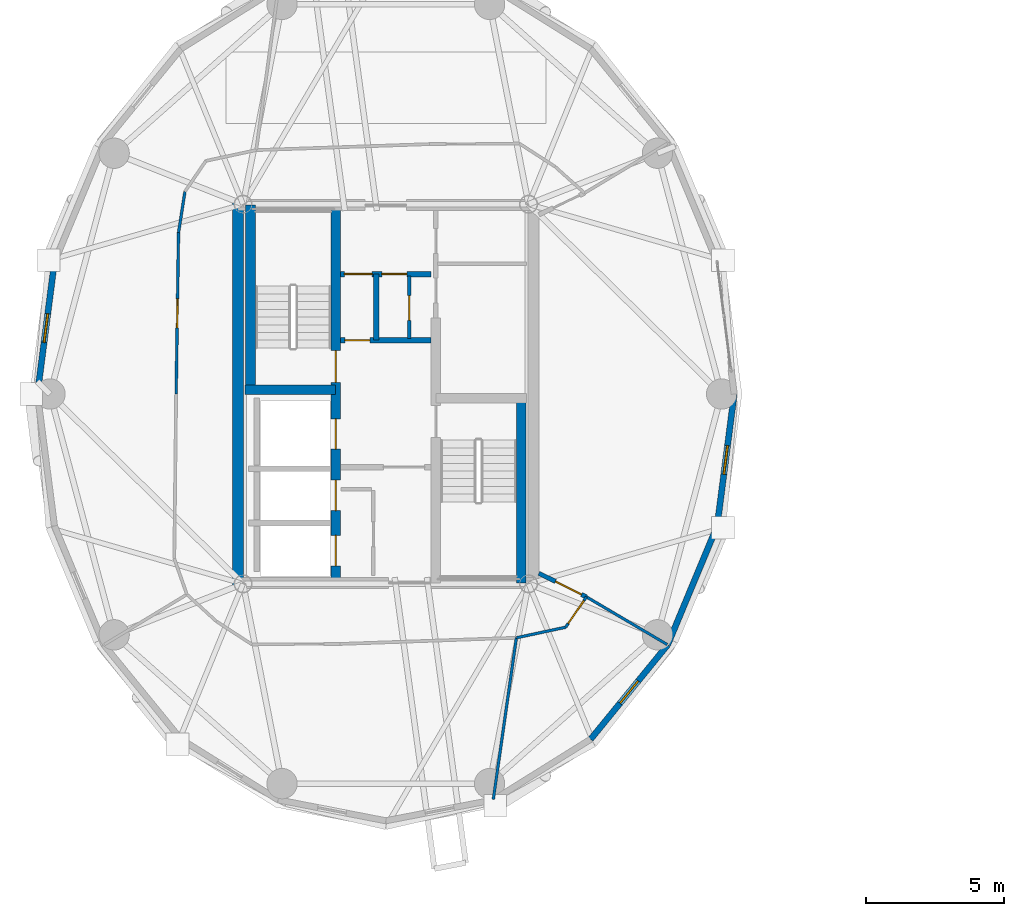
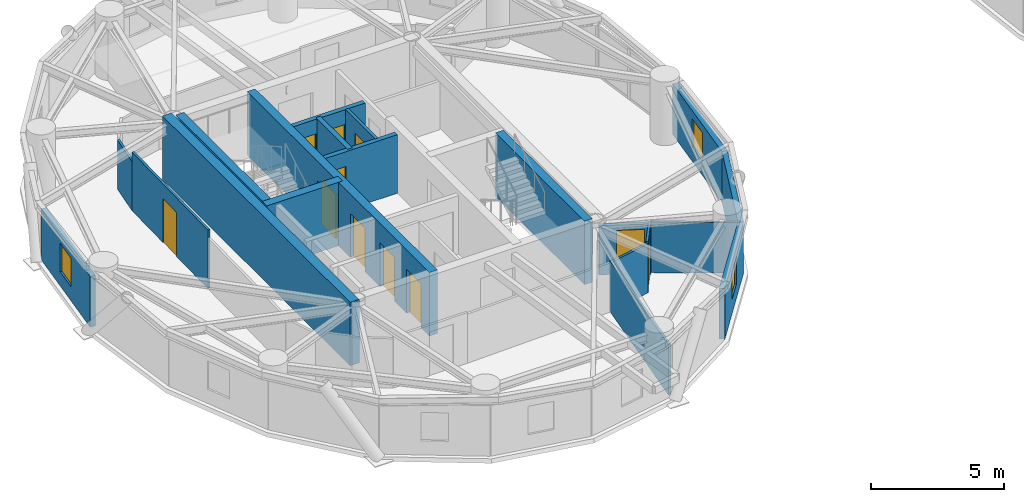
# One storey, part 8 of 14: 20 walls, 11 doors, 3 windows, 14 openings.
"""IFC4 building model written with IfcOpenShell, lengths in metres."""

from ifc_helpers import new_model, si_unit, direction, frame, frame_2d, origin, place, context, subcontext, project, spatial, rectangle, extrude, source, transform, mapped, material, layer, layer_set, type_object, element, fill, save


model = new_model("IFC4")

# Units and contexts
model_context = context("Model", 3, precision=1e-05, world=origin(), true_north=direction((0.0, 1.0)))
body_context = subcontext(model_context, "Body", "Model", "MODEL_VIEW")
ifc_project = project(units=[si_unit("LENGTHUNIT", "METRE"), si_unit("AREAUNIT", "SQUARE_METRE"), si_unit("VOLUMEUNIT", "CUBIC_METRE"), si_unit("PLANEANGLEUNIT", "RADIAN"), si_unit("MASSUNIT", "GRAM", prefix="KILO")], contexts=[model_context])

# Site, building, storey
site_placement = place(None, origin())
site = spatial("IfcSite", under=ifc_project, at=site_placement, CompositionType="ELEMENT")
building_placement = place(site_placement, origin())
building = spatial("IfcBuilding", under=site, at=building_placement, Name="Cununo Teusaquillo Station Towers", CompositionType="ELEMENT")
storey_placement = place(building_placement, frame((0.0, 0.0, 202.47998046875)))
storey = spatial("IfcBuildingStorey", under=building, at=storey_placement, Name="L64", CompositionType="ELEMENT", Elevation=202.47998046875)

# Wall, openings, doors
ifc_material_1 = material(Name="Concrete C50/60", Category="concrete")
ifc_layer_1 = layer(ifc_material_1, 0.35009765625)
ifc_layer_set_1 = layer_set([ifc_layer_1], Name="Concrete C50/60")
wall_type_1 = type_object("IfcWallType", Name="WL-CORE-350", PredefinedType="SHEAR", material=ifc_layer_set_1)
wall_1_placement = place(storey_placement, frame((14.68505859375, 17.64990234375, 0.0), z_axis=(0.0, 0.0, 1.0), x_axis=(0.0, 1.0, 0.0)))
wall_1 = element("IfcWall", 1, at=wall_1_placement, inside=storey, type_object=wall_type_1, Name="L64 Tower A Core Shear Wall IW", PredefinedType="SHEAR", context=body_context, shape_type="SweptSolid", body=[
    extrude(rectangle(XDim=13.7001953125, YDim=0.35009765625, at=frame_2d((6.85009765625, 0.0))), origin(), (0.0, 0.0, 1.0), 2.909912109375),
])
shared_shape_1 = source(origin(), body_context, "Body", "SweptSolid", [
    extrude(rectangle(XDim=1.10009765625, YDim=2.014892578125, at=frame_2d((0.550048828125, 1.00732421875))), frame((0.0, 0.18505859375, 0.0), z_axis=(0.0, -1.0, 0.0), x_axis=(1.0, 0.0, 0.0)), (0.0, 0.0, 1.0), 0.3701171875),
])
opening_1_placement = place(wall_1_placement, frame((4.85009765625, 0.0, 0.0)))
opening_1 = element("IfcOpeningElement", 2, at=opening_1_placement, cuts=wall_1, Name="Opening LD-01", PredefinedType="OPENING", context=body_context, shape_type="MappedRepresentation", body=[
    mapped(shared_shape_1, transform((0.0, 0.0, 0.0), x_axis=(1.0, 0.0, 0.0), y_axis=(0.0, 1.0, 0.0), z_axis=(0.0, 0.0, 1.0), scale=1.0)),
])
opening_2_placement = place(wall_1_placement, frame((0.625, 0.0, 0.0)))
opening_2 = element("IfcOpeningElement", 3, at=opening_2_placement, cuts=wall_1, Name="Opening LD-01", PredefinedType="OPENING", context=body_context, shape_type="MappedRepresentation", body=[
    mapped(shared_shape_1, transform((0.0, 0.0, 0.0), x_axis=(1.0, 0.0, 0.0), y_axis=(0.0, 1.0, 0.0), z_axis=(0.0, 0.0, 1.0), scale=1.0)),
])
opening_3_placement = place(wall_1_placement, frame((2.625, 0.0, 0.0)))
opening_3 = element("IfcOpeningElement", 4, at=opening_3_placement, cuts=wall_1, Name="Opening LD-01", PredefinedType="OPENING", context=body_context, shape_type="MappedRepresentation", body=[
    mapped(shared_shape_1, transform((0.0, 0.0, 0.0), x_axis=(1.0, 0.0, 0.0), y_axis=(0.0, 1.0, 0.0), z_axis=(0.0, 0.0, 1.0), scale=1.0)),
])
shared_shape_2 = source(origin(), body_context, "Body", "SweptSolid", [
    extrude(rectangle(XDim=1.14990234375, YDim=2.02001953125, at=frame_2d((0.574951171875, 1.010009765625))), frame((0.0, 0.18505859375, 0.0), z_axis=(0.0, -1.0, 0.0), x_axis=(1.0, 0.0, 0.0)), (0.0, 0.0, 1.0), 0.3701171875),
])
opening_4_placement = place(wall_1_placement, frame((7.27001953125, 0.0, 0.0)))
opening_4 = element("IfcOpeningElement", 5, at=opening_4_placement, cuts=wall_1, Name="Opening D-ST1", PredefinedType="OPENING", context=body_context, shape_type="MappedRepresentation", body=[
    mapped(shared_shape_2, transform((0.0, 0.0, 0.0), x_axis=(1.0, 0.0, 0.0), y_axis=(0.0, 1.0, 0.0), z_axis=(0.0, 0.0, 1.0), scale=1.0)),
])
ifc_material_2 = material(Name="Galvanised fire-rated hollow steel door assembly", Category="steel")
door_type_1 = type_object("IfcDoorType", Name="DR-LIFT-1100", OperationType="SLIDING_TO_LEFT", PredefinedType="DOOR", material=ifc_material_2)
shared_shape_3 = source(origin(), body_context, "Body", "SweptSolid", [
    extrude(rectangle(XDim=1.10009765625, YDim=2.014892578125, at=frame_2d((0.550048828125, 1.00732421875))), frame((0.0, 0.02490234375, 0.0), z_axis=(0.0, -1.0, 0.0), x_axis=(1.0, 0.0, 0.0)), (0.0, 0.0, 1.0), 0.050048828125),
])
door_1_placement = place(opening_1_placement, origin())
door_1 = element("IfcDoor", 6, at=door_1_placement, inside=storey, type_object=door_type_1, Name="L64 Lift FL-T1 Sliding Landing Door", OperationType="SLIDING_TO_LEFT", OverallHeight=2.014892578125, OverallWidth=1.10009765625, PredefinedType="DOOR", context=body_context, shape_type="MappedRepresentation", body=[
    mapped(shared_shape_3, transform((0.0, 0.0, 0.0), x_axis=(1.0, 0.0, 0.0), y_axis=(0.0, 1.0, 0.0), z_axis=(0.0, 0.0, 1.0), scale=1.0)),
])
fill(opening_1, door_1)
door_2_placement = place(opening_2_placement, origin())
door_2 = element("IfcDoor", 7, at=door_2_placement, inside=storey, type_object=door_type_1, Name="L64 Lift PL-T1-H1 Sliding Landing Door", OperationType="SLIDING_TO_LEFT", OverallHeight=2.014892578125, OverallWidth=1.10009765625, PredefinedType="DOOR", context=body_context, shape_type="MappedRepresentation", body=[
    mapped(shared_shape_3, transform((0.0, 0.0, 0.0), x_axis=(1.0, 0.0, 0.0), y_axis=(0.0, 1.0, 0.0), z_axis=(0.0, 0.0, 1.0), scale=1.0)),
])
fill(opening_2, door_2)
door_3_placement = place(opening_3_placement, origin())
door_3 = element("IfcDoor", 8, at=door_3_placement, inside=storey, type_object=door_type_1, Name="L64 Lift PL-T1-H2 Sliding Landing Door", OperationType="SLIDING_TO_RIGHT", OverallHeight=2.014892578125, OverallWidth=1.10009765625, PredefinedType="DOOR", context=body_context, shape_type="MappedRepresentation", body=[
    mapped(shared_shape_3, transform((0.0, 0.0, 0.0), x_axis=(1.0, 0.0, 0.0), y_axis=(0.0, 1.0, 0.0), z_axis=(0.0, 0.0, 1.0), scale=1.0)),
])
fill(opening_3, door_3)
ifc_material_3 = material(Name="Galvanised fire-rated hollow steel door assembly", Category="steel")
door_type_2 = type_object("IfcDoorType", Name="DR-STAIR-1150", OperationType="NOTDEFINED", PredefinedType="DOOR", material=ifc_material_3)
shared_shape_4 = source(origin(), body_context, "Body", "SweptSolid", [
    extrude(rectangle(XDim=1.14990234375, YDim=2.02001953125, at=frame_2d((0.574951171875, 1.010009765625))), frame((0.0, 0.02490234375, 0.0), z_axis=(0.0, -1.0, 0.0), x_axis=(1.0, 0.0, 0.0)), (0.0, 0.0, 1.0), 0.050048828125),
])
door_4_placement = place(opening_4_placement, origin())
door_4 = element("IfcDoor", 9, at=door_4_placement, inside=storey, type_object=door_type_2, Name="L64 Tower A Exit Stair 1 Fire Door", OperationType="SINGLE_SWING_RIGHT", OverallHeight=2.02001953125, OverallWidth=1.14990234375, PredefinedType="DOOR", context=body_context, shape_type="MappedRepresentation", body=[
    mapped(shared_shape_4, transform((0.0, 0.0, 0.0), x_axis=(1.0, 0.0, 0.0), y_axis=(0.0, 1.0, 0.0), z_axis=(0.0, 0.0, 1.0), scale=1.0)),
])
fill(opening_4, door_4)

# Walls
wall_2_placement = place(storey_placement, frame((11.594970703125, 24.655029296875, 0.0), z_axis=(0.0, 0.0, 1.0), x_axis=(0.0, 1.0, 0.0)))
element("IfcWall", 10, at=wall_2_placement, inside=storey, type_object=wall_type_1, Name="L64 Tower A Core Shear Wall ST1W", PredefinedType="SHEAR", context=body_context, shape_type="SweptSolid", body=[
    extrude(rectangle(XDim=6.695068359375, YDim=0.35009765625, at=frame_2d((3.34765625, 0.0))), origin(), (0.0, 0.0, 1.0), 2.909912109375),
])
wall_3_placement = place(storey_placement, frame((11.39990234375, 24.655029296875, 0.0), z_axis=(0.0, 0.0, 1.0), x_axis=(1.0, 0.0, 0.0)))
element("IfcWall", 11, at=wall_3_placement, inside=storey, type_object=wall_type_1, Name="L64 Tower A Core Shear Wall ST1S", PredefinedType="SHEAR", context=body_context, shape_type="SweptSolid", body=[
    extrude(rectangle(XDim=3.28515625, YDim=0.35009765625, at=frame_2d((1.642578125, 0.0))), origin(), (0.0, 0.0, 1.0), 2.909912109375),
])
wall_4_placement = place(storey_placement, frame((21.405029296875, 17.64990234375, 0.0), z_axis=(0.0, 0.0, 1.0), x_axis=(0.0, 1.0, 0.0)))
element("IfcWall", 12, at=wall_4_placement, inside=storey, type_object=wall_type_1, Name="L64 Tower A Core Shear Wall ST2E", PredefinedType="SHEAR", context=body_context, shape_type="SweptSolid", body=[
    extrude(rectangle(XDim=6.695068359375, YDim=0.35009765625, at=frame_2d((3.34765625, 0.0))), origin(), (0.0, 0.0, 1.0), 2.909912109375),
])
ifc_material_4 = material(Name="Concrete C50/60", Category="concrete")
ifc_layer_2 = layer(ifc_material_4, 0.39990234375)
ifc_layer_set_2 = layer_set([ifc_layer_2], Name="Concrete C50/60")
wall_type_2 = type_object("IfcWallType", Name="WL-CORE-400", PredefinedType="SHEAR", material=ifc_layer_set_2)
wall_5_placement = place(storey_placement, frame((11.14990234375, 17.449951171875, 0.0), z_axis=(0.0, 0.0, 1.0), x_axis=(0.0, 1.0, 0.0)))
element("IfcWall", 13, at=wall_5_placement, inside=storey, type_object=wall_type_2, Name="L64 Tower A Core Shear Wall W", PredefinedType="SHEAR", context=body_context, shape_type="SweptSolid", body=[
    extrude(rectangle(XDim=14.10009765625, YDim=0.39990234375, at=frame_2d((7.050048828125, 0.0))), origin(), (0.0, 0.0, 1.0), 2.909912109375),
])

# Wall, opening, window
ifc_material_5 = material(Name="Precast concrete C40/50", Category="concrete")
ifc_layer_3 = layer(ifc_material_5, 0.219970703125)
ifc_layer_set_3 = layer_set([ifc_layer_3], Name="Precast concrete C40/50")
wall_type_3 = type_object("IfcWallType", Name="WL-EXT-220", PredefinedType="SOLIDWALL", material=ifc_layer_set_3)
wall_6_placement = place(storey_placement, frame((3.8701171875, 24.5, 0.0), z_axis=(0.0, 0.0, 1.0), x_axis=(0.128241318541, 0.991742993027, 0.0)))
wall_6 = element("IfcWall", 14, at=wall_6_placement, inside=storey, type_object=wall_type_3, Name="L64 Tower A Exterior Facade Wall C09", PredefinedType="SOLIDWALL", context=body_context, shape_type="SweptSolid", body=[
    extrude(rectangle(XDim=4.8203125, YDim=0.219970703125, at=frame_2d((2.41015625, 0.0))), origin(), (0.0, 0.0, 1.0), 2.322021484375),
])
shared_shape_5 = source(origin(), body_context, "Body", "SweptSolid", [
    extrude(rectangle(XDim=1.050048828125, YDim=1.300048828125, at=frame_2d((0.52490234375, 0.64990234375))), frame((0.0, 0.119873046875, 0.0), z_axis=(0.0, -1.0, 0.0), x_axis=(1.0, 0.0, 0.0)), (0.0, 0.0, 1.0), 0.239990234375),
])
opening_5_placement = place(wall_6_placement, frame((1.885009765625, 0.0, 0.64990234375)))
opening_5 = element("IfcOpeningElement", 15, at=opening_5_placement, cuts=wall_6, Name="Opening WN-04", PredefinedType="OPENING", context=body_context, shape_type="MappedRepresentation", body=[
    mapped(shared_shape_5, transform((0.0, 0.0, 0.0), x_axis=(1.0, 0.0, 0.0), y_axis=(0.0, 1.0, 0.0), z_axis=(0.0, 0.0, 1.0), scale=1.0)),
])
ifc_material_6 = material(Name="Operable acoustic tinted low-E double glazing", Category="glass")
window_type = type_object("IfcWindowType", Name="WIN-BAL-1050", PartitioningType="SINGLE_PANEL", PredefinedType="WINDOW", material=ifc_material_6)
shared_shape_6 = source(origin(), body_context, "Body", "SweptSolid", [
    extrude(rectangle(XDim=1.050048828125, YDim=1.300048828125, at=frame_2d((0.52490234375, 0.64990234375))), frame((0.0, 0.030029296875, 0.0), z_axis=(0.0, -1.0, 0.0), x_axis=(1.0, 0.0, 0.0)), (0.0, 0.0, 1.0), 0.06005859375),
])
window_1_placement = place(opening_5_placement, origin())
window_1 = element("IfcWindow", 16, at=window_1_placement, inside=storey, type_object=window_type, Name="L64 Tower A Facade Window C09", OverallHeight=1.300048828125, OverallWidth=1.050048828125, PartitioningType="SINGLE_PANEL", PredefinedType="WINDOW", context=body_context, shape_type="MappedRepresentation", body=[
    mapped(shared_shape_6, transform((0.0, 0.0, 0.0), x_axis=(1.0, 0.0, 0.0), y_axis=(0.0, 1.0, 0.0), z_axis=(0.0, 0.0, 1.0), scale=1.0)),
])
fill(opening_5, window_1)

wall_7_placement = place(storey_placement, frame((26.718017578125, 15.406982421875, 0.0), z_axis=(0.0, 0.0, 1.0), x_axis=(-0.632467166636, -0.774587169483, 0.0)))
wall_7 = element("IfcWall", 17, at=wall_7_placement, inside=storey, type_object=wall_type_3, Name="L64 Tower A Exterior Facade Wall C17", PredefinedType="SOLIDWALL", context=body_context, shape_type="SweptSolid", body=[
    extrude(rectangle(XDim=4.418212890625, YDim=0.219970703125, at=frame_2d((2.208984375, 0.0))), origin(), (0.0, 0.0, 1.0), 2.322021484375),
])
opening_6_placement = place(wall_7_placement, frame((1.68408203125, 0.0, 0.64990234375)))
opening_6 = element("IfcOpeningElement", 18, at=opening_6_placement, cuts=wall_7, Name="Opening WN-04", PredefinedType="OPENING", context=body_context, shape_type="MappedRepresentation", body=[
    mapped(shared_shape_5, transform((0.0, 0.0, 0.0), x_axis=(1.0, 0.0, 0.0), y_axis=(0.0, 1.0, 0.0), z_axis=(0.0, 0.0, 1.0), scale=1.0)),
])
window_2_placement = place(opening_6_placement, origin())
window_2 = element("IfcWindow", 19, at=window_2_placement, inside=storey, type_object=window_type, Name="L64 Tower A Facade Window C17", OverallHeight=1.300048828125, OverallWidth=1.050048828125, PartitioningType="SINGLE_PANEL", PredefinedType="WINDOW", context=body_context, shape_type="MappedRepresentation", body=[
    mapped(shared_shape_6, transform((0.0, 0.0, 0.0), x_axis=(1.0, 0.0, 0.0), y_axis=(0.0, 1.0, 0.0), z_axis=(0.0, 0.0, 1.0), scale=1.0)),
])
fill(opening_6, window_2)

# Wall
wall_8_placement = place(storey_placement, frame((28.51171875, 19.719482421875, 0.0), z_axis=(0.0, 0.0, 1.0), x_axis=(-0.384036305194, -0.923317993052, 0.0)))
element("IfcWall", 20, at=wall_8_placement, inside=storey, type_object=wall_type_3, Name="L64 Tower A Exterior Facade Wall C18", PredefinedType="SOLIDWALL", context=body_context, shape_type="SweptSolid", body=[
    extrude(rectangle(XDim=4.670654296875, YDim=0.219970703125, at=frame_2d((2.33544921875, 0.0))), origin(), (0.0, 0.0, 1.0), 2.322021484375),
])

# Wall, opening, window
wall_9_placement = place(storey_placement, frame((29.1298828125, 24.5, 0.0), z_axis=(0.0, 0.0, 1.0), x_axis=(-0.128241318541, -0.991742993027, 0.0)))
wall_9 = element("IfcWall", 21, at=wall_9_placement, inside=storey, type_object=wall_type_3, Name="L64 Tower A Exterior Facade Wall C19", PredefinedType="SOLIDWALL", context=body_context, shape_type="SweptSolid", body=[
    extrude(rectangle(XDim=4.8203125, YDim=0.219970703125, at=frame_2d((2.41015625, 0.0))), origin(), (0.0, 0.0, 1.0), 2.322021484375),
])
opening_7_placement = place(wall_9_placement, frame((1.885009765625, 0.0, 0.64990234375)))
opening_7 = element("IfcOpeningElement", 22, at=opening_7_placement, cuts=wall_9, Name="Opening WN-04", PredefinedType="OPENING", context=body_context, shape_type="MappedRepresentation", body=[
    mapped(shared_shape_5, transform((0.0, 0.0, 0.0), x_axis=(1.0, 0.0, 0.0), y_axis=(0.0, 1.0, 0.0), z_axis=(0.0, 0.0, 1.0), scale=1.0)),
])
window_3_placement = place(opening_7_placement, origin())
window_3 = element("IfcWindow", 23, at=window_3_placement, inside=storey, type_object=window_type, Name="L64 Tower A Facade Window C19", OverallHeight=1.300048828125, OverallWidth=1.050048828125, PartitioningType="SINGLE_PANEL", PredefinedType="WINDOW", context=body_context, shape_type="MappedRepresentation", body=[
    mapped(shared_shape_6, transform((0.0, 0.0, 0.0), x_axis=(1.0, 0.0, 0.0), y_axis=(0.0, 1.0, 0.0), z_axis=(0.0, 0.0, 1.0), scale=1.0)),
])
fill(opening_7, window_3)

# Wall
ifc_material_7 = material(Name="Fire-rated gypsum plasterboard partition assembly", Category="gypsum")
ifc_layer_4 = layer(ifc_material_7, 0.10009765625)
ifc_layer_set_4 = layer_set([ifc_layer_4], Name="Fire-rated gypsum plasterboard partition assembly")
wall_type_4 = type_object("IfcWallType", Name="WL-PART-100", PredefinedType="MOVABLE", material=ifc_layer_set_4)
wall_10_placement = place(storey_placement, frame((9.218505859375, 31.837646484375, 0.0), z_axis=(0.0, 0.0, 1.0), x_axis=(-0.154065528966, -0.98806063214, 0.0)))
element("IfcWall", 24, at=wall_10_placement, inside=storey, type_object=wall_type_4, Name="L64 Tower A Corridor Ring Wall C08", PredefinedType="MOVABLE", context=body_context, shape_type="SweptSolid", body=[
    extrude(rectangle(XDim=1.507080078125, YDim=0.10009765625, at=frame_2d((0.75341796875, 0.0))), origin(), (0.0, 0.0, 1.0), 2.255126953125),
])

# Wall, opening, door
wall_11_placement = place(storey_placement, frame((8.986328125, 30.3486328125, 0.0), z_axis=(0.0, 0.0, 1.0), x_axis=(-0.014775478218, -0.999890836663, 0.0)))
wall_11 = element("IfcWall", 25, at=wall_11_placement, inside=storey, type_object=wall_type_4, Name="L64 Tower A Corridor Ring Wall C09", PredefinedType="MOVABLE", context=body_context, shape_type="SweptSolid", body=[
    extrude(rectangle(XDim=5.849365234375, YDim=0.10009765625, at=frame_2d((2.9248046875, 0.0))), origin(), (0.0, 0.0, 1.0), 2.68505859375),
])
shared_shape_7 = source(origin(), body_context, "Body", "SweptSolid", [
    extrude(rectangle(XDim=1.050048828125, YDim=2.014892578125, at=frame_2d((0.52490234375, 1.00732421875))), frame((0.0, 0.06005859375, 0.0), z_axis=(0.0, -1.0, 0.0), x_axis=(1.0, 0.0, 0.0)), (0.0, 0.0, 1.0), 0.1201171875),
])
opening_8_placement = place(wall_11_placement, frame((2.399658203125, 0.0, 0.0)))
opening_8 = element("IfcOpeningElement", 26, at=opening_8_placement, cuts=wall_11, Name="Opening D-SU1", PredefinedType="OPENING", context=body_context, shape_type="MappedRepresentation", body=[
    mapped(shared_shape_7, transform((0.0, 0.0, 0.0), x_axis=(1.0, 0.0, 0.0), y_axis=(0.0, 1.0, 0.0), z_axis=(0.0, 0.0, 1.0), scale=1.0)),
])
ifc_material_8 = material(Name="Acoustic solid-core hardwood leaf assembly", Category="wood")
door_type_3 = type_object("IfcDoorType", Name="DR-SUITE-1050", OperationType="NOTDEFINED", PredefinedType="DOOR", material=ifc_material_8)
shared_shape_8 = source(origin(), body_context, "Body", "SweptSolid", [
    extrude(rectangle(XDim=1.050048828125, YDim=2.014892578125, at=frame_2d((0.52490234375, 1.00732421875))), frame((0.0, 0.02490234375, 0.0), z_axis=(0.0, -1.0, 0.0), x_axis=(1.0, 0.0, 0.0)), (0.0, 0.0, 1.0), 0.050048828125),
])
door_5_placement = place(opening_8_placement, origin())
door_5 = element("IfcDoor", 27, at=door_5_placement, inside=storey, type_object=door_type_3, Name="L64 Tower A Sovereign Advisory Boardroom Entrance Door", OperationType="SINGLE_SWING_RIGHT", OverallHeight=2.014892578125, OverallWidth=1.050048828125, PredefinedType="DOOR", context=body_context, shape_type="MappedRepresentation", body=[
    mapped(shared_shape_8, transform((0.0, 0.0, 0.0), x_axis=(1.0, 0.0, 0.0), y_axis=(0.0, 1.0, 0.0), z_axis=(0.0, 0.0, 1.0), scale=1.0)),
])
fill(opening_8, door_5)

# Wall
wall_12_placement = place(storey_placement, frame((21.23388671875, 15.664306640625, 0.0), z_axis=(0.0, 0.0, 1.0), x_axis=(0.977931581182, 0.208925399431, 0.0)))
element("IfcWall", 28, at=wall_12_placement, inside=storey, type_object=wall_type_4, Name="L64 Tower A Corridor Ring Wall C16", PredefinedType="MOVABLE", context=body_context, shape_type="SweptSolid", body=[
    extrude(rectangle(XDim=1.822998046875, YDim=0.10009765625, at=frame_2d((0.91162109375, 0.0))), origin(), (0.0, 0.0, 1.0), 2.255126953125),
])

# Wall, opening, door
wall_13_placement = place(storey_placement, frame((23.0166015625, 16.045166015625, 0.0), z_axis=(0.0, 0.0, 1.0), x_axis=(0.566660656138, 0.823951273308, 0.0)))
wall_13 = element("IfcWall", 29, at=wall_13_placement, inside=storey, type_object=wall_type_4, Name="L64 Tower A Corridor Ring Wall C17", PredefinedType="MOVABLE", context=body_context, shape_type="SweptSolid", body=[
    extrude(rectangle(XDim=1.3359375, YDim=0.10009765625, at=frame_2d((0.66796875, 0.0))), origin(), (0.0, 0.0, 1.0), 2.322021484375),
])
shared_shape_9 = source(origin(), body_context, "Body", "SweptSolid", [
    extrude(rectangle(XDim=1.0, YDim=2.014892578125, at=frame_2d((0.5, 1.00732421875))), frame((0.0, 0.06005859375, 0.0), z_axis=(0.0, -1.0, 0.0), x_axis=(1.0, 0.0, 0.0)), (0.0, 0.0, 1.0), 0.1201171875),
])
opening_9_placement = place(wall_13_placement, frame((0.16796875, 0.0, 0.0)))
opening_9 = element("IfcOpeningElement", 30, at=opening_9_placement, cuts=wall_13, Name="Opening D-AC1", PredefinedType="OPENING", context=body_context, shape_type="MappedRepresentation", body=[
    mapped(shared_shape_9, transform((0.0, 0.0, 0.0), x_axis=(1.0, 0.0, 0.0), y_axis=(0.0, 1.0, 0.0), z_axis=(0.0, 0.0, 1.0), scale=1.0)),
])
ifc_material_9 = material(Name="Acoustic solid-core hardwood leaf assembly", Category="wood")
door_type_4 = type_object("IfcDoorType", Name="DR-ACC-1000", OperationType="NOTDEFINED", PredefinedType="DOOR", material=ifc_material_9)
shared_shape_10 = source(origin(), body_context, "Body", "SweptSolid", [
    extrude(rectangle(XDim=1.0, YDim=2.014892578125, at=frame_2d((0.5, 1.00732421875))), frame((0.0, 0.02490234375, 0.0), z_axis=(0.0, -1.0, 0.0), x_axis=(1.0, 0.0, 0.0)), (0.0, 0.0, 1.0), 0.050048828125),
])
door_6_placement = place(opening_9_placement, origin())
door_6 = element("IfcDoor", 31, at=door_6_placement, inside=storey, type_object=door_type_4, Name="L64 Tower A Public Accessible Restroom WC Entrance Door", OperationType="SINGLE_SWING_RIGHT", OverallHeight=2.014892578125, OverallWidth=1.0, PredefinedType="DOOR", context=body_context, shape_type="MappedRepresentation", body=[
    mapped(shared_shape_10, transform((0.0, 0.0, 0.0), x_axis=(1.0, 0.0, 0.0), y_axis=(0.0, 1.0, 0.0), z_axis=(0.0, 0.0, 1.0), scale=1.0)),
])
fill(opening_9, door_6)

# Walls
wall_14_placement = place(storey_placement, frame((21.23388671875, 15.664306640625, 0.0), z_axis=(0.0, 0.0, 1.0), x_axis=(-0.141467563045, -0.989942891588, 0.0)))
element("IfcWall", 32, at=wall_14_placement, inside=storey, type_object=wall_type_4, Name="L64 Tower A Radial Suite Partition R04", PredefinedType="MOVABLE", context=body_context, shape_type="SweptSolid", body=[
    extrude(rectangle(XDim=5.917724609375, YDim=0.10009765625, at=frame_2d((2.958984375, 0.0))), origin(), (0.0, 0.0, 1.0), 2.322021484375),
])
wall_15_placement = place(storey_placement, frame((23.773681640625, 17.14599609375, 0.0), z_axis=(0.0, 0.0, 1.0), x_axis=(0.861296601099, -0.508102514198, 0.0)))
element("IfcWall", 33, at=wall_15_placement, inside=storey, type_object=wall_type_4, Name="L64 Tower A Radial Suite Partition R05", PredefinedType="MOVABLE", context=body_context, shape_type="SweptSolid", body=[
    extrude(rectangle(XDim=3.3994140625, YDim=0.10009765625, at=frame_2d((1.69970703125, 0.0))), origin(), (0.0, 0.0, 1.0), 2.322021484375),
])

# Wall, opening, door
ifc_material_10 = material(Name="Fire-rated gypsum plasterboard partition assembly", Category="gypsum")
ifc_layer_5 = layer(ifc_material_10, 0.125)
ifc_layer_set_5 = layer_set([ifc_layer_5], Name="Fire-rated gypsum plasterboard partition assembly")
wall_type_5 = type_object("IfcWallType", Name="WL-PART-125", PredefinedType="PARTITIONING", material=ifc_layer_set_5)
wall_16_placement = place(storey_placement, frame((17.35009765625, 26.52001953125, 0.0), z_axis=(0.0, 0.0, 1.0), x_axis=(0.0, 1.0, 0.0)))
wall_16 = element("IfcWall", 34, at=wall_16_placement, inside=storey, type_object=wall_type_5, Name="L64 Tower A Core Vertical Split Wall", PredefinedType="PARTITIONING", context=body_context, shape_type="SweptSolid", body=[
    extrude(rectangle(XDim=2.260009765625, YDim=0.125, at=frame_2d((1.1298828125, 0.0))), origin(), (0.0, 0.0, 1.0), 2.68505859375),
])
shared_shape_11 = source(origin(), body_context, "Body", "SweptSolid", [
    extrude(rectangle(XDim=0.89990234375, YDim=2.0048828125, at=frame_2d((0.449951171875, 1.00244140625))), frame((0.0, 0.072509765625, 0.0), z_axis=(0.0, -1.0, 0.0), x_axis=(1.0, 0.0, 0.0)), (0.0, 0.0, 1.0), 0.14501953125),
])
opening_10_placement = place(wall_16_placement, frame((0.64990234375, 0.0, 0.0)))
opening_10 = element("IfcOpeningElement", 35, at=opening_10_placement, cuts=wall_16, Name="Opening D-SR1", PredefinedType="OPENING", context=body_context, shape_type="MappedRepresentation", body=[
    mapped(shared_shape_11, transform((0.0, 0.0, 0.0), x_axis=(1.0, 0.0, 0.0), y_axis=(0.0, 1.0, 0.0), z_axis=(0.0, 0.0, 1.0), scale=1.0)),
])
ifc_material_11 = material(Name="Galvanised fire-rated hollow steel door assembly", Category="steel")
door_type_5 = type_object("IfcDoorType", Name="DR-STORE-900", OperationType="NOTDEFINED", PredefinedType="DOOR", material=ifc_material_11)
shared_shape_12 = source(origin(), body_context, "Body", "SweptSolid", [
    extrude(rectangle(XDim=0.89990234375, YDim=2.0048828125, at=frame_2d((0.449951171875, 1.00244140625))), frame((0.0, 0.02490234375, 0.0), z_axis=(0.0, -1.0, 0.0), x_axis=(1.0, 0.0, 0.0)), (0.0, 0.0, 1.0), 0.050048828125),
])
door_7_placement = place(opening_10_placement, origin())
door_7 = element("IfcDoor", 36, at=door_7_placement, inside=storey, type_object=door_type_5, Name="L64 Tower A Core Electrical Room Door", OperationType="SINGLE_SWING_RIGHT", OverallHeight=2.0048828125, OverallWidth=0.89990234375, PredefinedType="DOOR", context=body_context, shape_type="MappedRepresentation", body=[
    mapped(shared_shape_12, transform((0.0, 0.0, 0.0), x_axis=(1.0, 0.0, 0.0), y_axis=(0.0, 1.0, 0.0), z_axis=(0.0, 0.0, 1.0), scale=1.0)),
])
fill(opening_10, door_7)

ifc_material_12 = material(Name="Fire-rated gypsum plasterboard partition assembly", Category="gypsum")
ifc_layer_6 = layer(ifc_material_12, 0.159912109375)
ifc_layer_set_6 = layer_set([ifc_layer_6], Name="Fire-rated gypsum plasterboard partition assembly")
wall_type_6 = type_object("IfcWallType", Name="WL-PART-160", PredefinedType="PARTITIONING", material=ifc_layer_set_6)
wall_17_placement = place(storey_placement, frame((22.050048828125, 18.0, 0.0), z_axis=(0.0, 0.0, 1.0), x_axis=(0.896045848613, -0.443961526692, 0.0)))
wall_17 = element("IfcWall", 37, at=wall_17_placement, inside=storey, type_object=wall_type_6, Name="L64 Tower A East Salon Corridor Portal Wall SE", PredefinedType="PARTITIONING", context=body_context, shape_type="SweptSolid", body=[
    extrude(rectangle(XDim=1.923583984375, YDim=0.159912109375, at=frame_2d((0.9619140625, 0.0))), origin(), (0.0, 0.0, 1.0), 2.255126953125),
])
shared_shape_13 = source(origin(), body_context, "Body", "SweptSolid", [
    extrude(rectangle(XDim=1.050048828125, YDim=2.014892578125, at=frame_2d((0.52490234375, 1.00732421875))), frame((0.0, 0.08984375, 0.0), z_axis=(0.0, -1.0, 0.0), x_axis=(1.0, 0.0, 0.0)), (0.0, 0.0, 1.0), 0.179931640625),
])
opening_11_placement = place(wall_17_placement, frame((0.673583984375, 0.0, 0.0)))
opening_11 = element("IfcOpeningElement", 38, at=opening_11_placement, cuts=wall_17, Name="Opening D-SU1", PredefinedType="OPENING", context=body_context, shape_type="MappedRepresentation", body=[
    mapped(shared_shape_13, transform((0.0, 0.0, 0.0), x_axis=(1.0, 0.0, 0.0), y_axis=(0.0, 1.0, 0.0), z_axis=(0.0, 0.0, 1.0), scale=1.0)),
])
door_8_placement = place(opening_11_placement, origin())
door_8 = element("IfcDoor", 39, at=door_8_placement, inside=storey, type_object=door_type_3, Name="L64 Tower A East Panorama Sky Salon Door SE", OperationType="SINGLE_SWING_RIGHT", OverallHeight=2.014892578125, OverallWidth=1.050048828125, PredefinedType="DOOR", context=body_context, shape_type="MappedRepresentation", body=[
    mapped(shared_shape_8, transform((0.0, 0.0, 0.0), x_axis=(1.0, 0.0, 0.0), y_axis=(0.0, 1.0, 0.0), z_axis=(0.0, 0.0, 1.0), scale=1.0)),
])
fill(opening_11, door_8)

ifc_material_13 = material(Name="Fire-rated gypsum plasterboard partition assembly", Category="gypsum")
ifc_layer_7 = layer(ifc_material_13, 0.199951171875)
ifc_layer_set_7 = layer_set([ifc_layer_7], Name="Fire-rated gypsum plasterboard partition assembly")
wall_type_7 = type_object("IfcWallType", Name="WL-PART-200", PredefinedType="PARTITIONING", material=ifc_layer_set_7)
wall_18_placement = place(storey_placement, frame((14.860107421875, 26.449951171875, 0.0), z_axis=(0.0, 0.0, 1.0), x_axis=(1.0, 0.0, 0.0)))
wall_18 = element("IfcWall", 40, at=wall_18_placement, inside=storey, type_object=wall_type_7, Name="L64 Tower A Firefighting Lift Lobby North Fire Wall", PredefinedType="PARTITIONING", context=body_context, shape_type="SweptSolid", body=[
    extrude(rectangle(XDim=3.27978515625, YDim=0.199951171875, at=frame_2d((1.639892578125, 0.0))), origin(), (0.0, 0.0, 1.0), 2.68505859375),
])
shared_shape_14 = source(origin(), body_context, "Body", "SweptSolid", [
    extrude(rectangle(XDim=0.89990234375, YDim=2.0048828125, at=frame_2d((0.449951171875, 1.00244140625))), frame((0.0, 0.10986328125, 0.0), z_axis=(0.0, -1.0, 0.0), x_axis=(1.0, 0.0, 0.0)), (0.0, 0.0, 1.0), 0.219970703125),
])
opening_12_placement = place(wall_18_placement, frame((0.159912109375, 0.0, 0.0)))
opening_12 = element("IfcOpeningElement", 41, at=opening_12_placement, cuts=wall_18, Name="Opening D-SR1", PredefinedType="OPENING", context=body_context, shape_type="MappedRepresentation", body=[
    mapped(shared_shape_14, transform((0.0, 0.0, 0.0), x_axis=(1.0, 0.0, 0.0), y_axis=(0.0, 1.0, 0.0), z_axis=(0.0, 0.0, 1.0), scale=1.0)),
])
door_9_placement = place(opening_12_placement, origin())
door_9 = element("IfcDoor", 42, at=door_9_placement, inside=storey, type_object=door_type_5, Name="L64 Tower A Stair 1 Protected Vestibule South Door", OperationType="SINGLE_SWING_RIGHT", OverallHeight=2.0048828125, OverallWidth=0.89990234375, PredefinedType="DOOR", context=body_context, shape_type="MappedRepresentation", body=[
    mapped(shared_shape_12, transform((0.0, 0.0, 0.0), x_axis=(1.0, 0.0, 0.0), y_axis=(0.0, 1.0, 0.0), z_axis=(0.0, 0.0, 1.0), scale=1.0)),
])
fill(opening_12, door_9)

# Wall
wall_19_placement = place(storey_placement, frame((16.14990234375, 26.449951171875, 0.0), z_axis=(0.0, 0.0, 1.0), x_axis=(0.0, 1.0, 0.0)))
element("IfcWall", 43, at=wall_19_placement, inside=storey, type_object=wall_type_7, Name="L64 Tower A Stair 1 Vestibule Partition Wall", PredefinedType="PARTITIONING", context=body_context, shape_type="SweptSolid", body=[
    extrude(rectangle(XDim=2.400146484375, YDim=0.199951171875, at=frame_2d((1.2001953125, 0.0))), origin(), (0.0, 0.0, 1.0), 2.68505859375),
])

# Wall, openings, doors
wall_20_placement = place(storey_placement, frame((14.860107421875, 28.85009765625, 0.0), z_axis=(0.0, 0.0, 1.0), x_axis=(1.0, 0.0, 0.0)))
wall_20 = element("IfcWall", 44, at=wall_20_placement, inside=storey, type_object=wall_type_7, Name="L64 Tower A North Lift Lobby South Fire Wall", PredefinedType="PARTITIONING", context=body_context, shape_type="SweptSolid", body=[
    extrude(rectangle(XDim=3.27978515625, YDim=0.199951171875, at=frame_2d((1.639892578125, 0.0))), origin(), (0.0, 0.0, 1.0), 2.68505859375),
])
shared_shape_15 = source(origin(), body_context, "Body", "SweptSolid", [
    extrude(rectangle(XDim=1.0, YDim=2.014892578125, at=frame_2d((0.5, 1.00732421875))), frame((0.0, 0.10986328125, 0.0), z_axis=(0.0, -1.0, 0.0), x_axis=(1.0, 0.0, 0.0)), (0.0, 0.0, 1.0), 0.219970703125),
])
opening_13_placement = place(wall_20_placement, frame((0.139892578125, 0.0, 0.0)))
opening_13 = element("IfcOpeningElement", 45, at=opening_13_placement, cuts=wall_20, Name="Opening D-AC1", PredefinedType="OPENING", context=body_context, shape_type="MappedRepresentation", body=[
    mapped(shared_shape_15, transform((0.0, 0.0, 0.0), x_axis=(1.0, 0.0, 0.0), y_axis=(0.0, 1.0, 0.0), z_axis=(0.0, 0.0, 1.0), scale=1.0)),
])
opening_14_placement = place(wall_20_placement, frame((1.5, 0.0, 0.0)))
opening_14 = element("IfcOpeningElement", 46, at=opening_14_placement, cuts=wall_20, Name="Opening D-SR1", PredefinedType="OPENING", context=body_context, shape_type="MappedRepresentation", body=[
    mapped(shared_shape_14, transform((0.0, 0.0, 0.0), x_axis=(1.0, 0.0, 0.0), y_axis=(0.0, 1.0, 0.0), z_axis=(0.0, 0.0, 1.0), scale=1.0)),
])
door_10_placement = place(opening_14_placement, origin())
door_10 = element("IfcDoor", 47, at=door_10_placement, inside=storey, type_object=door_type_5, Name="L64 Tower A Core Housekeeping Store Door", OperationType="SINGLE_SWING_LEFT", OverallHeight=2.0048828125, OverallWidth=0.89990234375, PredefinedType="DOOR", context=body_context, shape_type="MappedRepresentation", body=[
    mapped(shared_shape_12, transform((0.0, 0.0, 0.0), x_axis=(1.0, 0.0, 0.0), y_axis=(0.0, 1.0, 0.0), z_axis=(0.0, 0.0, 1.0), scale=1.0)),
])
fill(opening_14, door_10)
door_11_placement = place(opening_13_placement, origin())
door_11 = element("IfcDoor", 48, at=door_11_placement, inside=storey, type_object=door_type_4, Name="L64 Tower A North Lift Lobby to Stair 1 Vestibule Door", OperationType="SINGLE_SWING_LEFT", OverallHeight=2.014892578125, OverallWidth=1.0, PredefinedType="DOOR", context=body_context, shape_type="MappedRepresentation", body=[
    mapped(shared_shape_10, transform((0.0, 0.0, 0.0), x_axis=(1.0, 0.0, 0.0), y_axis=(0.0, 1.0, 0.0), z_axis=(0.0, 0.0, 1.0), scale=1.0)),
])
fill(opening_13, door_11)

save(model, "model.ifc")
